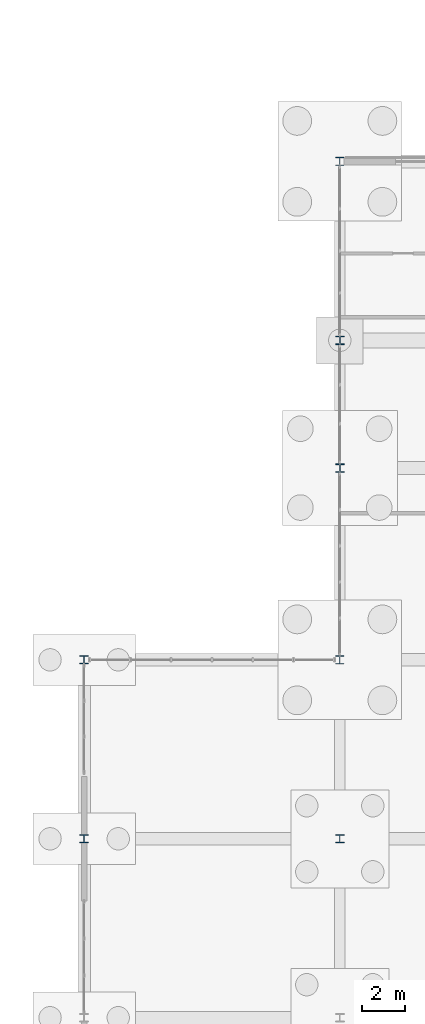
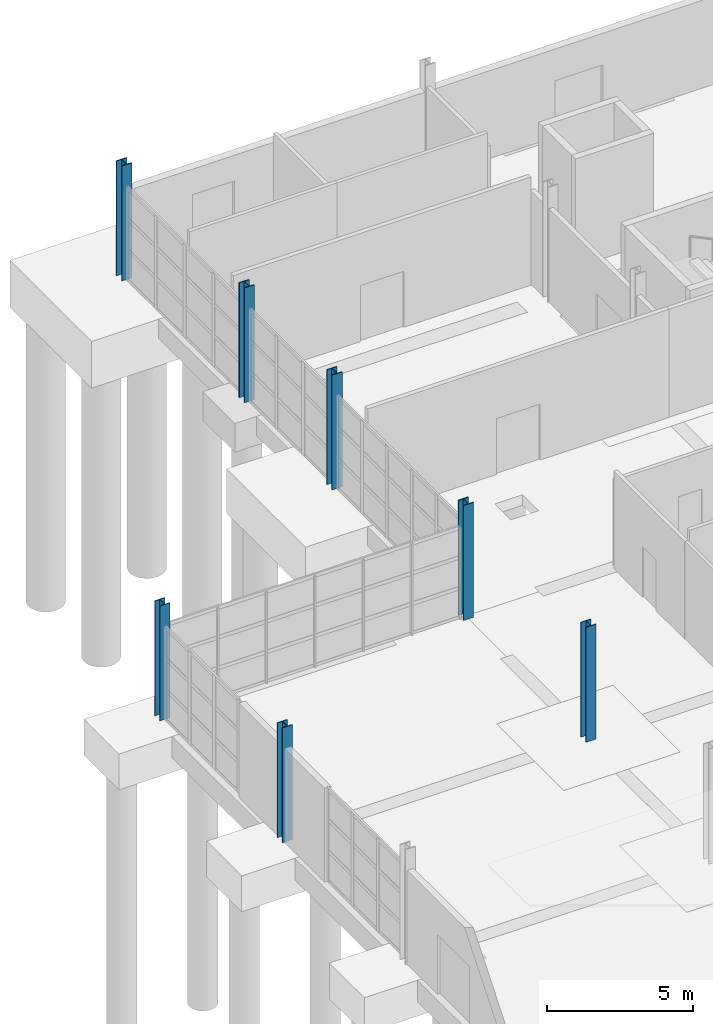
# One storey, part 14 of 82: 7 columns.
"""IFC4 building model written with IfcOpenShell, lengths in metres."""

import ifcopenshell
import ifcopenshell.guid

model = None  # the IFC model being written
_history = None  # IfcOwnerHistory: only IFC2X3 demands one
_inside = {}  # id of a spatial element -> (the spatial element, [elements in it])
_under = {}  # id of a project, library or spatial element -> (it, [spatial elements below it])
_declared = {}  # id of a project -> (the project, [libraries it declares])
_typed = {}  # id of a type object -> (the type object, [elements of that type])
_made_of = {}  # id of a material, layer set ... -> (it, [elements and type objects made of it])


def new_model(schema):
    """Start an empty IFC model of exactly this schema.

    Asked for "IFC4X3", IfcOpenShell would pick the latest addendum, in which some entities
    have other attributes; the version numbers below select the first issue.
    IFC2X3 requires an IfcOwnerHistory on every rooted entity: one is made here for all.
    """
    global model, _history
    if schema == "IFC4X3":
        model = ifcopenshell.file(schema_version=(4, 3, 0, 0))
    else:
        model = ifcopenshell.file(schema=schema)
    _inside.clear()
    _under.clear()
    _declared.clear()
    _typed.clear()
    _made_of.clear()
    _history = None
    if model.schema == "IFC2X3":
        org = make("IfcOrganization", Name="unknown")
        user = make(
            "IfcPersonAndOrganization",
            ThePerson=make("IfcPerson", FamilyName="unknown"),
            TheOrganization=org,
        )
        app = make(
            "IfcApplication",
            ApplicationDeveloper=org,
            Version="unknown",
            ApplicationFullName="unknown",
            ApplicationIdentifier="unknown",
        )
        _history = make(
            "IfcOwnerHistory",
            OwningUser=user,
            OwningApplication=app,
            ChangeAction="ADDED",
            CreationDate=0,
        )
    return model


def make(cls, **values):
    """One entity of the class cls with the attributes given. An attribute that is None is left unset."""
    return model.create_entity(
        cls, **{name: value for name, value in values.items() if value is not None}
    )


def rooted(cls, **values):
    """An entity with a GlobalId (a new one), such as an element, a storey or a relation."""
    return make(cls, GlobalId=ifcopenshell.guid.new(), OwnerHistory=_history, **values)


def si_unit(unit_type, name, prefix=None):
    """IfcSIUnit, for example si_unit("LENGTHUNIT", "METRE", prefix="MILLI")."""
    return make("IfcSIUnit", UnitType=unit_type, Prefix=prefix, Name=name)


def assignment(units):
    """IfcUnitAssignment: the units of a project."""
    return None if units is None else make("IfcUnitAssignment", Units=units)


def point(xyz):
    """IfcCartesianPoint."""
    return None if xyz is None else make("IfcCartesianPoint", Coordinates=xyz)


def direction(xyz):
    """IfcDirection."""
    return None if xyz is None else make("IfcDirection", DirectionRatios=xyz)


def frame(location, z_axis=None, x_axis=None):
    """IfcAxis2Placement3D, a coordinate frame: its origin and axes. An axis left out is left unset."""
    return make(
        "IfcAxis2Placement3D",
        Location=point(location),
        Axis=direction(z_axis),
        RefDirection=direction(x_axis),
    )


def frame_2d(location, x_axis=None):
    """IfcAxis2Placement2D, a coordinate frame in the plane: its origin and x axis."""
    return make(
        "IfcAxis2Placement2D", Location=point(location), RefDirection=direction(x_axis)
    )


def origin():
    """The frame at (0, 0, 0) with its axes left unset."""
    return frame((0.0, 0.0, 0.0))


def origin_2d():
    """The frame at (0, 0) in the plane with its x axis left unset."""
    return frame_2d((0.0, 0.0))


def place(relative_to, where):
    """IfcLocalPlacement: puts the frame where relative to a parent placement (None: the world)."""
    return make(
        "IfcLocalPlacement", PlacementRelTo=relative_to, RelativePlacement=where
    )


def context(
    kind, dimensions, precision=None, world=None, true_north=None, identifier=None
):
    """IfcGeometricRepresentationContext, for example the 3D "Model" context."""
    return make(
        "IfcGeometricRepresentationContext",
        ContextIdentifier=identifier,
        ContextType=kind,
        CoordinateSpaceDimension=dimensions,
        Precision=precision,
        WorldCoordinateSystem=world,
        TrueNorth=true_north,
    )


def subcontext(parent, identifier, kind, view, scale=None):
    """IfcGeometricRepresentationSubContext, for example "Body" below "Model"."""
    return make(
        "IfcGeometricRepresentationSubContext",
        ContextIdentifier=identifier,
        ContextType=kind,
        ParentContext=parent,
        TargetScale=scale,
        TargetView=view,
    )


def project(units=None, contexts=None):
    """IfcProject with its units and contexts."""
    return rooted(
        "IfcProject",
        Name="project",
        RepresentationContexts=contexts,
        UnitsInContext=assignment(units),
    )


def spatial(cls, under=None, at=None, **own):
    """A site, building, storey or space (cls), placed at a placement, below another one or the project."""
    s = rooted(cls, ObjectPlacement=at, **own)
    if under is not None:
        _under.setdefault(under.id(), (under, []))[1].append(s)
    return s


def profile(cls, at=None, kind="AREA", **sizes):
    """A parametric profile (cls). Its sizes go by their IFC names, for example OverallWidth=200.0."""
    return make(cls, ProfileType=kind, Position=at, **sizes)


def i_section(**sizes):
    """IfcIShapeProfileDef."""
    return profile("IfcIShapeProfileDef", **sizes)


def extrude(swept, where, along, depth):
    """IfcExtrudedAreaSolid: the profile swept, set in the frame where, extruded along a direction by depth."""
    return make(
        "IfcExtrudedAreaSolid",
        SweptArea=swept,
        Position=where,
        ExtrudedDirection=direction(along),
        Depth=depth,
    )


def shape(context_of_items, identifier, shape_type, items):
    """IfcShapeRepresentation: the items that make up one representation, for example the "Body"."""
    return make(
        "IfcShapeRepresentation",
        ContextOfItems=context_of_items,
        RepresentationIdentifier=identifier,
        RepresentationType=shape_type,
        Items=items,
    )


def material(Name=None, Category=None):
    """IfcMaterial."""
    return make("IfcMaterial", Name=Name, Category=Category)


def material_profile(
    of_material, cross_section, Name=None, Category=None, Priority=None
):
    """IfcMaterialProfile: a cross section and its material."""
    return make(
        "IfcMaterialProfile",
        Name=Name,
        Material=of_material,
        Profile=cross_section,
        Priority=Priority,
        Category=Category,
    )


def profile_set(profiles, Name=None, composite=None):
    """IfcMaterialProfileSet."""
    return make(
        "IfcMaterialProfileSet",
        Name=Name,
        MaterialProfiles=profiles,
        CompositeProfile=composite,
    )


def made_of(thing, what):
    """Note that an element or type object is made of a material, layer set ...; save() writes the relation."""
    if what is not None:
        _made_of.setdefault(what.id(), (what, []))[1].append(thing)
    return thing


def type_object(cls, material=None, **own):
    """A type object (cls), such as IfcWallType, which elements share."""
    return made_of(rooted(cls, **own), material)


def element(
    cls,
    number,
    at=None,
    inside=None,
    cuts=None,
    type_object=None,
    material=None,
    context=None,
    identifier="Body",
    shape_type=None,
    held_by="IfcProductDefinitionShape",
    body=None,
    shapes=None,
    **own,
):
    """One element of the class cls, such as IfcWall. Its Tag is "e" and its number.

    at: its placement. inside: the storey or other place that contains it. cuts: it is an
    opening in that element (IfcRelVoidsElement). A single representation is given by context,
    identifier, shape_type and body (its items); several are given by shapes. held_by: the class
    of the entity that holds the representations. save() writes the other relations.
    """
    e = rooted(cls, Tag="e%d" % number, ObjectPlacement=at, **own)
    if body is not None:
        shapes = [shape(context, identifier, shape_type, body)]
    if shapes is not None:
        e.Representation = make(held_by, Representations=shapes)
    if inside is not None:
        _inside.setdefault(inside.id(), (inside, []))[1].append(e)
    if cuts is not None:
        rooted(
            "IfcRelVoidsElement", RelatingBuildingElement=cuts, RelatedOpeningElement=e
        )
    if type_object is not None:
        _typed.setdefault(type_object.id(), (type_object, []))[1].append(e)
    return made_of(e, material)


def aggregate(whole, parts):
    """IfcRelAggregates: a whole, such as a stair, and the parts it consists of."""
    return rooted("IfcRelAggregates", RelatingObject=whole, RelatedObjects=parts)


def save(model, path):
    """Write the relations noted so far, then the file.

    IfcRelAggregates (storeys below a building ...), IfcRelContainedInSpatialStructure (elements
    in a storey), IfcRelDefinesByType, IfcRelAssociatesMaterial and IfcRelDeclares: one each for
    every whole, place, type object, material and project.
    """
    for whole, parts in _under.values():
        aggregate(whole, parts)
    for where, things in _inside.values():
        rooted(
            "IfcRelContainedInSpatialStructure",
            RelatedElements=things,
            RelatingStructure=where,
        )
    for kind, things in _typed.values():
        rooted("IfcRelDefinesByType", RelatedObjects=things, RelatingType=kind)
    for what, things in _made_of.values():
        rooted("IfcRelAssociatesMaterial", RelatedObjects=things, RelatingMaterial=what)
    for by, libraries in _declared.values():
        rooted("IfcRelDeclares", RelatingContext=by, RelatedDefinitions=libraries)
    model.write(path)


model = new_model("IFC4")

# Units and contexts
model_context = context("Model", 3, precision=1e-05, world=origin(), true_north=direction((0.0, 1.0)))
body_context = subcontext(model_context, "Body", "Model", "MODEL_VIEW")
ifc_project = project(units=[si_unit("LENGTHUNIT", "METRE"), si_unit("AREAUNIT", "SQUARE_METRE"), si_unit("VOLUMEUNIT", "CUBIC_METRE"), si_unit("PLANEANGLEUNIT", "RADIAN"), si_unit("MASSUNIT", "GRAM", prefix="KILO")], contexts=[model_context])

# Site, building, storey
site_placement = place(None, origin())
site = spatial("IfcSite", under=ifc_project, at=site_placement, CompositionType="ELEMENT")
building_placement = place(site_placement, origin())
building = spatial("IfcBuilding", under=site, at=building_placement, Name="Kelmvaro Bay Concert Hall", CompositionType="ELEMENT")
storey_placement = place(building_placement, origin())
storey = spatial("IfcBuildingStorey", under=building, at=storey_placement, Name="L00", CompositionType="ELEMENT", Elevation=0.0)

# Columns
ifc_material_1 = material(Name="Steel ASTM A992 Grade 50", Category="steel")
ifc_material_profile_1 = material_profile(ifc_material_1, i_section(OverallWidth=0.40087890625, OverallDepth=0.39892578125, WebThickness=0.02490234375, FlangeThickness=0.03955078125, at=origin_2d()), Name="W14X211")
ifc_profile_set_1 = profile_set([ifc_material_profile_1], Name="Steel ASTM A992 Grade 50")
column_type_1 = type_object("IfcColumnType", Name="Bridge Anchor Column W14x211", PredefinedType="COLUMN", material=ifc_profile_set_1)
for number, where, z_axis, x_axis, name in (
    (1, (120.0, 73.800048828125, 0.0), (0.0, 0.0, 1.0), (1.0, 0.0, 0.0), "L00 Column V2B-120-738"),
    (2, (120.0, 97.199951171875, 0.0), (0.0, 0.0, 1.0), (1.0, 0.0, 0.0), "L00 Column V2B-120-972"),
):
    element("IfcColumn", number, at=place(storey_placement, frame(where, z_axis=z_axis, x_axis=x_axis)), inside=storey, type_object=column_type_1, Name=name, PredefinedType="COLUMN", context=body_context, shape_type="SweptSolid", body=[
        extrude(i_section(OverallWidth=0.40087890625, OverallDepth=0.39892578125, WebThickness=0.02490234375, FlangeThickness=0.03955078125, at=origin_2d()), origin(), (0.0, 0.0, 1.0), 4.800048828125),
    ])
ifc_material_2 = material(Name="Steel ASTM A992 Grade 50", Category="steel")
ifc_material_profile_2 = material_profile(ifc_material_2, i_section(OverallWidth=0.40087890625, OverallDepth=0.39404296875, WebThickness=0.022705078125, FlangeThickness=0.03662109375, at=origin_2d()), Name="W14X193")
ifc_profile_set_2 = profile_set([ifc_material_profile_2], Name="Steel ASTM A992 Grade 50")
column_type_2 = type_object("IfcColumnType", Name="Bridge Support Column W14x193", PredefinedType="COLUMN", material=ifc_profile_set_2)
for number, where, z_axis, x_axis, name in (
    (3, (120.0, 82.800048828125, 0.0), (0.0, 0.0, 1.0), (1.0, 0.0, 0.0), "L00 Column V2B-120-828"),
    (4, (120.0, 88.800048828125, 0.0), (0.0, 0.0, 1.0), (1.0, 0.0, 0.0), "L00 Column V2B-120-888"),
):
    element("IfcColumn", number, at=place(storey_placement, frame(where, z_axis=z_axis, x_axis=x_axis)), inside=storey, type_object=column_type_2, Name=name, PredefinedType="COLUMN", context=body_context, shape_type="SweptSolid", body=[
        extrude(i_section(OverallWidth=0.40087890625, OverallDepth=0.39404296875, WebThickness=0.022705078125, FlangeThickness=0.03662109375, at=origin_2d()), origin(), (0.0, 0.0, 1.0), 4.800048828125),
    ])
ifc_material_3 = material(Name="Steel ASTM A992 Grade 50", Category="steel")
ifc_material_profile_3 = material_profile(ifc_material_3, i_section(OverallWidth=0.39599609375, OverallDepth=0.381103515625, WebThickness=0.018798828125, FlangeThickness=0.0302734375, at=origin_2d()), Name="W14X159")
ifc_profile_set_3 = profile_set([ifc_material_profile_3], Name="Steel ASTM A992 Grade 50")
column_type_3 = type_object("IfcColumnType", Name="Foyer Concourse Column W14x159", PredefinedType="COLUMN", material=ifc_profile_set_3)
for number, where, z_axis, x_axis, name in (
    (5, (108.0, 65.39990234375, 0.0), (0.0, 0.0, 1.0), (1.0, 0.0, 0.0), "L00 Column V5E-108-654"),
    (6, (120.0, 65.39990234375, 0.0), (0.0, 0.0, 1.0), (1.0, 0.0, 0.0), "L00 Column V5E-120-654"),
    (7, (108.0, 73.800048828125, 0.0), (0.0, 0.0, 1.0), (1.0, 0.0, 0.0), "L00 Column V5E-108-738"),
):
    element("IfcColumn", number, at=place(storey_placement, frame(where, z_axis=z_axis, x_axis=x_axis)), inside=storey, type_object=column_type_3, Name=name, PredefinedType="COLUMN", context=body_context, shape_type="SweptSolid", body=[
        extrude(i_section(OverallWidth=0.39599609375, OverallDepth=0.381103515625, WebThickness=0.018798828125, FlangeThickness=0.0302734375, at=origin_2d()), origin(), (0.0, 0.0, 1.0), 4.800048828125),
    ])

save(model, "model.ifc")
